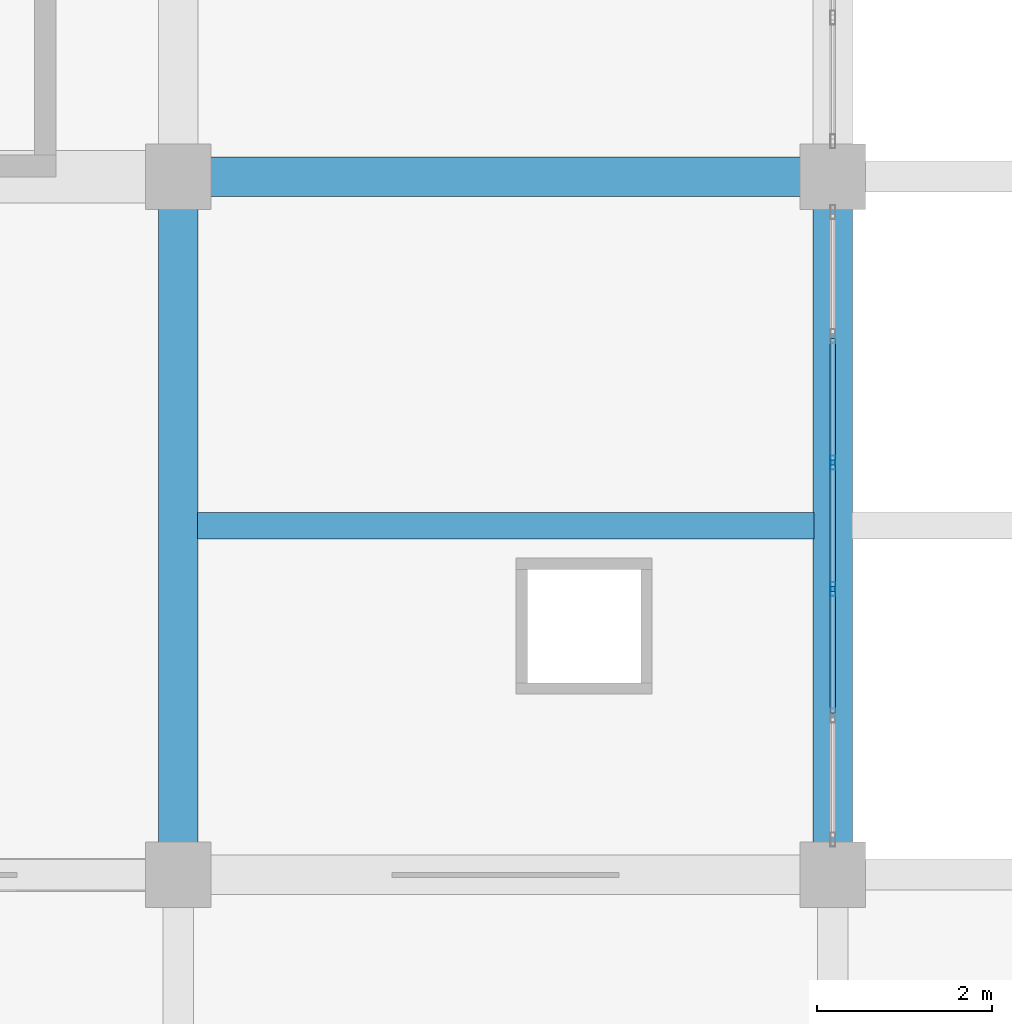
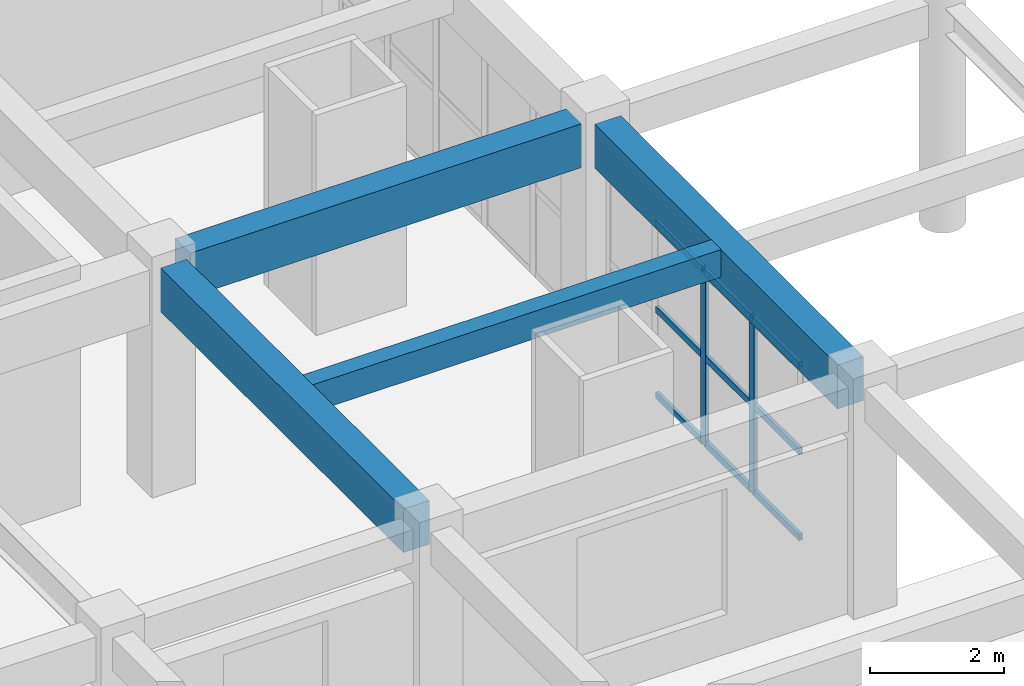
# One storey, part 56 of 116: 11 members, 4 beams, 1 element without a shape of its own.
"""IFC4 building model written with IfcOpenShell, lengths in metres."""

from ifc_helpers import new_model, si_unit, direction, frame, origin, origin_2d, place, context, subcontext, project, spatial, rectangle, hollow_rectangle, extrude, material, layer, layer_set, material_profile, profile_set, type_object, element, aggregate, save


model = new_model("IFC4")

# Units and contexts
model_context = context("Model", 3, precision=1e-05, world=origin(), true_north=direction((0.0, 1.0)))
body_context = subcontext(model_context, "Body", "Model", "MODEL_VIEW")
ifc_project = project(units=[si_unit("LENGTHUNIT", "METRE"), si_unit("AREAUNIT", "SQUARE_METRE"), si_unit("VOLUMEUNIT", "CUBIC_METRE"), si_unit("PLANEANGLEUNIT", "RADIAN"), si_unit("MASSUNIT", "GRAM", prefix="KILO")], contexts=[model_context])

# Site, building, storey
site_placement = place(None, origin())
site = spatial("IfcSite", under=ifc_project, at=site_placement, CompositionType="ELEMENT")
building_placement = place(site_placement, origin())
building = spatial("IfcBuilding", under=site, at=building_placement, Name="Muzn Square Opera House", CompositionType="ELEMENT")
storey_placement = place(building_placement, frame((0.0, 0.0, 5.39990234375)))
storey = spatial("IfcBuildingStorey", under=building, at=storey_placement, Name="L01", CompositionType="ELEMENT", Elevation=5.39990234375)

# Curtain wall, members
ifc_material_1 = material(Name="Low-E laminated acoustic double glazing", Category="glass")
ifc_layer = layer(ifc_material_1, 0.159912109375, Name="Low-E laminated acoustic double glazing", Category="glass")
ifc_layer_set = layer_set([ifc_layer], Name="Low-E laminated acoustic double glazing")
curtain_wall_type = type_object("IfcCurtainWallType", Name="Glazed Curtain Wall EastBlvd 7250x3200", PredefinedType="USERDEFINED", material=ifc_layer_set)
curtain_wall_placement = place(storey_placement, origin())
curtain_wall = element("IfcCurtainWall", 1, at=curtain_wall_placement, inside=storey, type_object=curtain_wall_type, Name="Glazed Curtain Wall CW-L01-112", ObjectType="GLAZED CURTAIN WALL", PredefinedType="USERDEFINED")
ifc_material_2 = material(Name="Anodised bronze aluminium 6063-T6", Category="metal")
ifc_material_profile_1 = material_profile(ifc_material_2, hollow_rectangle(XDim=0.06005859375, YDim=0.159912109375, WallThickness=0.00390625, at=origin_2d()), Name="ALU 160x60x4", Category="metal")
ifc_profile_set_1 = profile_set([ifc_material_profile_1], Name="Anodised bronze aluminium 6063-T6")
member_type_1 = type_object("IfcMemberType", Name="Curtain Wall Mullion 160x60", PredefinedType="MULLION", material=ifc_profile_set_1)
member_1_placement = place(storey_placement, frame((170.0, 9.27490234375, 0.0), z_axis=(0.0, 0.0, 1.0), x_axis=(-1.0, 0.0, 0.0)))
member_1 = element("IfcMember", 2, at=member_1_placement, type_object=member_type_1, Name="CW-EBL-72x32 mullion 3", PredefinedType="MULLION", context=body_context, shape_type="SweptSolid", body=[
    extrude(hollow_rectangle(XDim=0.06005859375, YDim=0.159912109375, WallThickness=0.00390625, at=origin_2d()), origin(), (0.0, 0.0, 1.0), 3.2001953125),
])
member_2_placement = place(storey_placement, frame((170.0, 10.72509765625, 0.0), z_axis=(0.0, 0.0, 1.0), x_axis=(-1.0, 0.0, 0.0)))
member_2 = element("IfcMember", 3, at=member_2_placement, type_object=member_type_1, Name="CW-EBL-72x32 mullion 4", PredefinedType="MULLION", context=body_context, shape_type="SweptSolid", body=[
    extrude(hollow_rectangle(XDim=0.06005859375, YDim=0.159912109375, WallThickness=0.00390625, at=origin_2d()), origin(), (0.0, 0.0, 1.0), 3.2001953125),
])
ifc_material_profile_2 = material_profile(ifc_material_2, hollow_rectangle(XDim=0.06005859375, YDim=0.1201171875, WallThickness=0.00390625, at=origin_2d()), Name="ALU 120x60x4", Category="metal")
ifc_profile_set_2 = profile_set([ifc_material_profile_2], Name="Anodised bronze aluminium 6063-T6")
member_type_2 = type_object("IfcMemberType", Name="Curtain Wall Transom 120x60", PredefinedType="USERDEFINED", material=ifc_profile_set_2)
member_3_placement = place(storey_placement, frame((170.0, 7.85498046875, 0.030029296875), z_axis=(0.0, 1.0, 0.0), x_axis=(-1.0, 0.0, 0.0)))
member_3 = element("IfcMember", 4, at=member_3_placement, type_object=member_type_2, Name="CW-EBL-72x32 transom 2.1", ObjectType="TRANSOM", PredefinedType="USERDEFINED", context=body_context, shape_type="SweptSolid", body=[
    extrude(hollow_rectangle(XDim=0.06005859375, YDim=0.1201171875, WallThickness=0.00390625, at=origin_2d()), origin(), (0.0, 0.0, 1.0), 1.39013671875),
])
member_4_placement = place(storey_placement, frame((170.0, 7.85498046875, 1.60009765625), z_axis=(0.0, 1.0, 0.0), x_axis=(-1.0, 0.0, 0.0)))
member_4 = element("IfcMember", 5, at=member_4_placement, type_object=member_type_2, Name="CW-EBL-72x32 transom 2.2", ObjectType="TRANSOM", PredefinedType="USERDEFINED", context=body_context, shape_type="SweptSolid", body=[
    extrude(hollow_rectangle(XDim=0.06005859375, YDim=0.1201171875, WallThickness=0.00390625, at=origin_2d()), origin(), (0.0, 0.0, 1.0), 1.39013671875),
])
member_5_placement = place(storey_placement, frame((170.0, 7.85498046875, 3.170166015625), z_axis=(0.0, 1.0, 0.0), x_axis=(-1.0, 0.0, 0.0)))
member_5 = element("IfcMember", 6, at=member_5_placement, type_object=member_type_2, Name="CW-EBL-72x32 transom 2.3", ObjectType="TRANSOM", PredefinedType="USERDEFINED", context=body_context, shape_type="SweptSolid", body=[
    extrude(hollow_rectangle(XDim=0.06005859375, YDim=0.1201171875, WallThickness=0.00390625, at=origin_2d()), origin(), (0.0, 0.0, 1.0), 1.39013671875),
])
member_6_placement = place(storey_placement, frame((170.0, 9.304931640625, 0.030029296875), z_axis=(0.0, 1.0, 0.0), x_axis=(-1.0, 0.0, 0.0)))
member_6 = element("IfcMember", 7, at=member_6_placement, type_object=member_type_2, Name="CW-EBL-72x32 transom 3.1", ObjectType="TRANSOM", PredefinedType="USERDEFINED", context=body_context, shape_type="SweptSolid", body=[
    extrude(hollow_rectangle(XDim=0.06005859375, YDim=0.1201171875, WallThickness=0.00390625, at=origin_2d()), origin(), (0.0, 0.0, 1.0), 1.39013671875),
])
member_7_placement = place(storey_placement, frame((170.0, 9.304931640625, 1.60009765625), z_axis=(0.0, 1.0, 0.0), x_axis=(-1.0, 0.0, 0.0)))
member_7 = element("IfcMember", 8, at=member_7_placement, type_object=member_type_2, Name="CW-EBL-72x32 transom 3.2", ObjectType="TRANSOM", PredefinedType="USERDEFINED", context=body_context, shape_type="SweptSolid", body=[
    extrude(hollow_rectangle(XDim=0.06005859375, YDim=0.1201171875, WallThickness=0.00390625, at=origin_2d()), origin(), (0.0, 0.0, 1.0), 1.39013671875),
])
member_8_placement = place(storey_placement, frame((170.0, 9.304931640625, 3.170166015625), z_axis=(0.0, 1.0, 0.0), x_axis=(-1.0, 0.0, 0.0)))
member_8 = element("IfcMember", 9, at=member_8_placement, type_object=member_type_2, Name="CW-EBL-72x32 transom 3.3", ObjectType="TRANSOM", PredefinedType="USERDEFINED", context=body_context, shape_type="SweptSolid", body=[
    extrude(hollow_rectangle(XDim=0.06005859375, YDim=0.1201171875, WallThickness=0.00390625, at=origin_2d()), origin(), (0.0, 0.0, 1.0), 1.39013671875),
])
member_9_placement = place(storey_placement, frame((170.0, 10.7548828125, 0.030029296875), z_axis=(0.0, 1.0, 0.0), x_axis=(-1.0, 0.0, 0.0)))
member_9 = element("IfcMember", 10, at=member_9_placement, type_object=member_type_2, Name="CW-EBL-72x32 transom 4.1", ObjectType="TRANSOM", PredefinedType="USERDEFINED", context=body_context, shape_type="SweptSolid", body=[
    extrude(hollow_rectangle(XDim=0.06005859375, YDim=0.1201171875, WallThickness=0.00390625, at=origin_2d()), origin(), (0.0, 0.0, 1.0), 1.39013671875),
])
member_10_placement = place(storey_placement, frame((170.0, 10.7548828125, 1.60009765625), z_axis=(0.0, 1.0, 0.0), x_axis=(-1.0, 0.0, 0.0)))
member_10 = element("IfcMember", 11, at=member_10_placement, type_object=member_type_2, Name="CW-EBL-72x32 transom 4.2", ObjectType="TRANSOM", PredefinedType="USERDEFINED", context=body_context, shape_type="SweptSolid", body=[
    extrude(hollow_rectangle(XDim=0.06005859375, YDim=0.1201171875, WallThickness=0.00390625, at=origin_2d()), origin(), (0.0, 0.0, 1.0), 1.39013671875),
])
member_11_placement = place(storey_placement, frame((170.0, 10.7548828125, 3.170166015625), z_axis=(0.0, 1.0, 0.0), x_axis=(-1.0, 0.0, 0.0)))
member_11 = element("IfcMember", 12, at=member_11_placement, type_object=member_type_2, Name="CW-EBL-72x32 transom 4.3", ObjectType="TRANSOM", PredefinedType="USERDEFINED", context=body_context, shape_type="SweptSolid", body=[
    extrude(hollow_rectangle(XDim=0.06005859375, YDim=0.1201171875, WallThickness=0.00390625, at=origin_2d()), origin(), (0.0, 0.0, 1.0), 1.39013671875),
])
aggregate(curtain_wall, [member_1, member_2, member_3, member_4, member_5, member_6, member_7, member_8, member_9, member_10, member_11])

# Beams
ifc_material_3 = material(Name="Concrete C40/50", Category="concrete")
ifc_material_profile_3 = material_profile(ifc_material_3, rectangle(XDim=0.300048828125, YDim=0.5, at=origin_2d()), Name="RCJ 300x500", Category="concrete")
ifc_profile_set_3 = profile_set([ifc_material_profile_3], Name="Concrete C40/50")
beam_type_1 = type_object("IfcBeamType", Name="Floor Joist 300x500", PredefinedType="JOIST", material=ifc_profile_set_3)
beam_1_placement = place(storey_placement, frame((162.717041015625, 10.0, 3.900146484375), z_axis=(1.0, 0.0, 0.0), x_axis=(0.0, 1.0, 0.0)))
element("IfcBeam", 13, at=beam_1_placement, inside=storey, type_object=beam_type_1, Name="Floor Joist BM-L01-BM-J500-1627_100_1698_100-1930", PredefinedType="JOIST", context=body_context, shape_type="SweptSolid", body=[
    extrude(rectangle(XDim=0.300048828125, YDim=0.5, at=origin_2d()), origin(), (0.0, 0.0, 1.0), 7.06591796875),
])
ifc_material_profile_4 = material_profile(ifc_material_3, rectangle(XDim=0.449951171875, YDim=0.800048828125, at=origin_2d()), Name="RCB 450x800", Category="concrete")
ifc_profile_set_4 = profile_set([ifc_material_profile_4], Name="Concrete C40/50")
beam_type_2 = type_object("IfcBeamType", Name="Primary Girder 450x800", PredefinedType="BEAM", material=ifc_profile_set_4)
beam_2_placement = place(storey_placement, frame((162.866943359375, 14.0, 3.72021484375), z_axis=(1.0, 0.0, 0.0), x_axis=(0.0, 1.0, 0.0)))
element("IfcBeam", 14, at=beam_2_placement, inside=storey, type_object=beam_type_2, Name="Primary Girder BM-L01-BM-PG800-1629_140_1696_140-1273", PredefinedType="BEAM", context=body_context, shape_type="SweptSolid", body=[
    extrude(rectangle(XDim=0.449951171875, YDim=0.800048828125, at=origin_2d()), origin(), (0.0, 0.0, 1.0), 6.76611328125),
])
for number, where, z_axis, x_axis, name in (
    (15, (162.5, 6.366943359375, 3.75), (0.0, 1.0, 0.0), (-1.0, 0.0, 0.0), "Primary Girder BM-L01-BM-PG800-1625_64_1625_136-1751"),
    (16, (170.0, 6.366943359375, 3.75), (0.0, 1.0, 0.0), (-1.0, 0.0, 0.0), "Primary Girder BM-L01-BM-PG800-1700_64_1700_136-1766"),
):
    element("IfcBeam", number, at=place(storey_placement, frame(where, z_axis=z_axis, x_axis=x_axis)), inside=storey, type_object=beam_type_2, Name=name, PredefinedType="BEAM", context=body_context, shape_type="SweptSolid", body=[
        extrude(rectangle(XDim=0.449951171875, YDim=0.800048828125, at=origin_2d()), origin(), (0.0, 0.0, 1.0), 7.26611328125),
    ])

save(model, "model.ifc")
